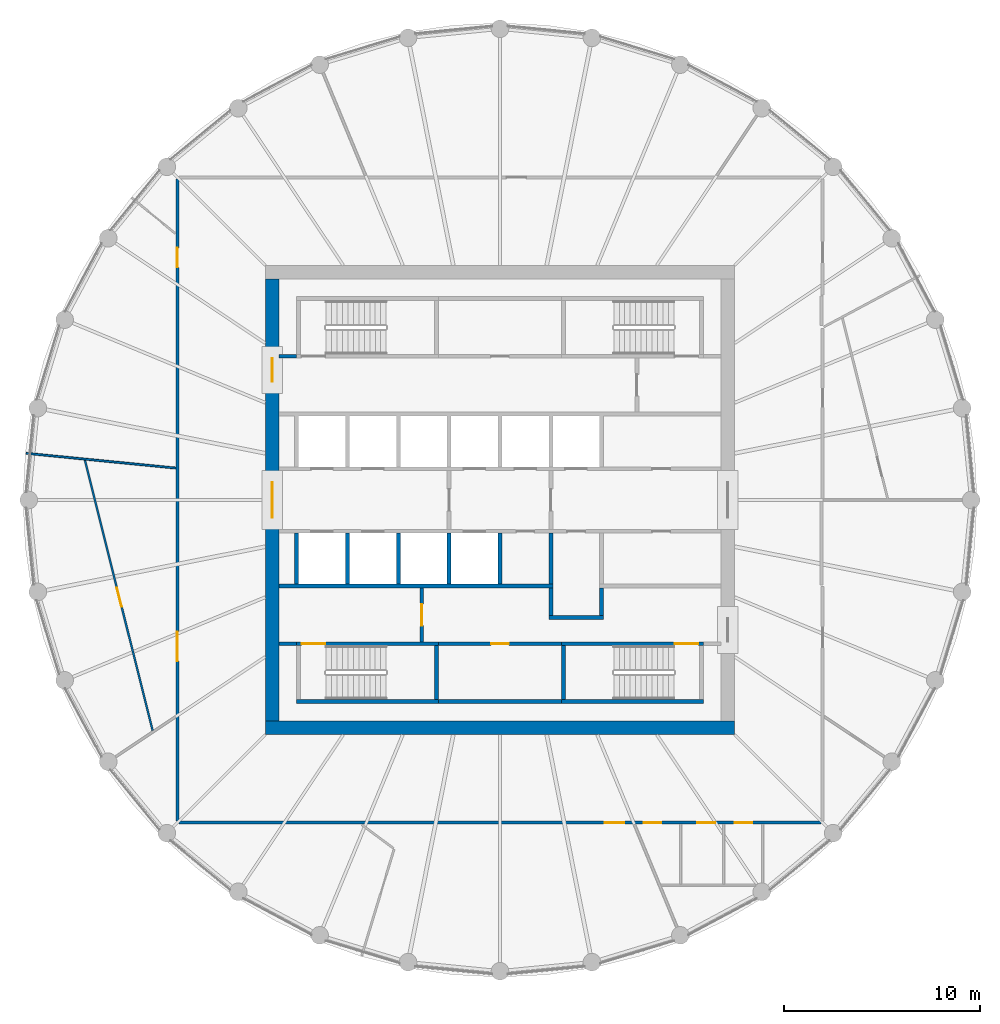
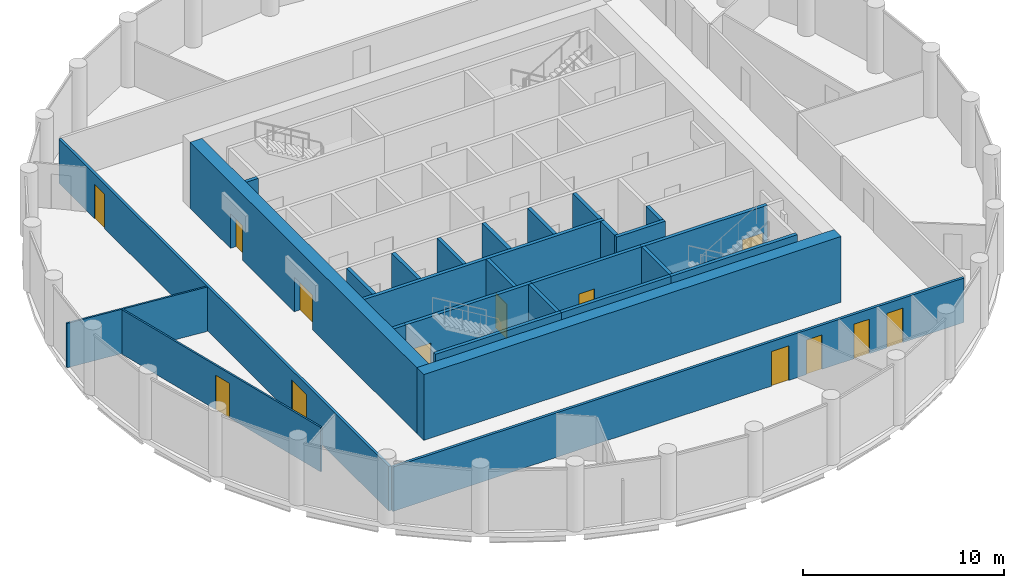
# One storey, part 4 of 7: 27 walls, 13 doors, 13 openings.
"""IFC4 building model written with IfcOpenShell, lengths in metres."""

from ifc_helpers import new_model, si_unit, direction, frame, frame_2d, origin, place, context, subcontext, project, spatial, polyline, rectangle, outline, extrude, material, layer, layer_set, type_object, element, fill, save


model = new_model("IFC4")

# Units and contexts
model_context = context("Model", 3, precision=1e-05, world=origin(), true_north=direction((0.0, 1.0)))
body_context = subcontext(model_context, "Body", "Model", "MODEL_VIEW")
ifc_project = project(units=[si_unit("LENGTHUNIT", "METRE"), si_unit("AREAUNIT", "SQUARE_METRE"), si_unit("VOLUMEUNIT", "CUBIC_METRE"), si_unit("PLANEANGLEUNIT", "RADIAN"), si_unit("MASSUNIT", "GRAM", prefix="KILO")], contexts=[model_context])

# Site, building, storey
site_placement = place(None, origin())
site = spatial("IfcSite", under=ifc_project, at=site_placement, CompositionType="ELEMENT")
building_placement = place(site_placement, origin())
building = spatial("IfcBuilding", under=site, at=building_placement, Name="Corvane Civic Tower", CompositionType="ELEMENT")
storey_placement = place(building_placement, frame((0.0, 0.0, 267.0)))
storey = spatial("IfcBuildingStorey", under=building, at=storey_placement, Name="L63", CompositionType="ELEMENT", Elevation=267.0)

# Wall
ifc_material_1 = material(Name="Concrete C40/50", Category="concrete")
ifc_layer_1 = layer(ifc_material_1, 0.699951171875)
ifc_layer_set_1 = layer_set([ifc_layer_1], Name="Concrete C40/50")
wall_type_1 = type_object("IfcWallType", Name="CORE WALL 700 C40/50", PredefinedType="SHEAR", material=ifc_layer_set_1)
wall_1_placement = place(storey_placement, frame((-12.0, -11.64990234375, 0.0), z_axis=(0.0, 0.0, 1.0), x_axis=(1.0, 0.0, 0.0)))
element("IfcWall", 1, at=wall_1_placement, inside=storey, type_object=wall_type_1, Name="W-L63-core-S", PredefinedType="SHEAR", context=body_context, shape_type="SweptSolid", body=[
    extrude(rectangle(XDim=24.0, YDim=0.699951171875, at=frame_2d((12.0, 0.0))), origin(), (0.0, 0.0, 1.0), 4.0),
])

# Wall, openings, doors
wall_2_placement = place(storey_placement, frame((-11.64990234375, -11.300048828125, 0.0), z_axis=(0.0, 0.0, 1.0), x_axis=(0.0, 1.0, 0.0)))
wall_2 = element("IfcWall", 2, at=wall_2_placement, inside=storey, type_object=wall_type_1, Name="W-L63-core-W", PredefinedType="SHEAR", context=body_context, shape_type="SweptSolid", body=[
    extrude(rectangle(XDim=22.60009765625, YDim=0.699951171875, at=frame_2d((11.300048828125, 0.0))), origin(), (0.0, 0.0, 1.0), 4.0),
])
opening_1_placement = place(wall_2_placement, frame((10.39990234375, 0.0, 0.0)))
opening_1 = element("IfcOpeningElement", 3, at=opening_1_placement, cuts=wall_2, Name="Opening L63.C15", PredefinedType="OPENING", context=body_context, shape_type="SweptSolid", body=[
    extrude(rectangle(XDim=1.800048828125, YDim=2.10009765625, at=frame_2d((0.89990234375, 1.050048828125))), frame((0.0, 0.35986328125, 0.0), z_axis=(0.0, -1.0, 0.0), x_axis=(1.0, 0.0, 0.0)), (0.0, 0.0, 1.0), 0.719970703125),
])
opening_2_placement = place(wall_2_placement, frame((17.35009765625, 0.0, 0.0)))
opening_2 = element("IfcOpeningElement", 4, at=opening_2_placement, cuts=wall_2, Name="Opening L63.C17", PredefinedType="OPENING", context=body_context, shape_type="SweptSolid", body=[
    extrude(rectangle(XDim=1.199951171875, YDim=2.10009765625, at=frame_2d((0.60009765625, 1.050048828125))), frame((0.0, 0.35986328125, 0.0), z_axis=(0.0, -1.0, 0.0), x_axis=(1.0, 0.0, 0.0)), (0.0, 0.0, 1.0), 0.719970703125),
])
ifc_material_2 = material(Name="Steel fire door leaf", Category="steel")
door_type_1 = type_object("IfcDoorType", Name="CR-DOOR-CORE-1800", OperationType="DOUBLE_DOOR_SINGLE_SWING", PredefinedType="DOOR", material=ifc_material_2)
door_1_placement = place(opening_1_placement, origin())
door_1 = element("IfcDoor", 5, at=door_1_placement, inside=storey, type_object=door_type_1, Name="L63 door", OperationType="DOUBLE_DOOR_SINGLE_SWING", OverallHeight=2.10009765625, OverallWidth=1.800048828125, PredefinedType="DOOR", context=body_context, shape_type="SweptSolid", body=[
    extrude(rectangle(XDim=1.800048828125, YDim=2.10009765625, at=frame_2d((0.89990234375, 1.050048828125))), frame((0.0, 0.02490234375, 0.0), z_axis=(0.0, -1.0, 0.0), x_axis=(1.0, 0.0, 0.0)), (0.0, 0.0, 1.0), 0.050048828125),
])
fill(opening_1, door_1)
door_2_placement = place(opening_2_placement, origin())
door_2 = element("IfcDoor", 6, at=door_2_placement, inside=storey, type_object=door_type_1, Name="L63 door", OperationType="DOUBLE_DOOR_SINGLE_SWING", OverallHeight=2.10009765625, OverallWidth=1.199951171875, PredefinedType="DOOR", context=body_context, shape_type="SweptSolid", body=[
    extrude(rectangle(XDim=1.199951171875, YDim=2.10009765625, at=frame_2d((0.60009765625, 1.050048828125))), frame((0.0, 0.02490234375, 0.0), z_axis=(0.0, -1.0, 0.0), x_axis=(1.0, 0.0, 0.0)), (0.0, 0.0, 1.0), 0.050048828125),
])
fill(opening_2, door_2)

# Wall, opening, door
ifc_material_3 = material(Name="Concrete C30/37", Category="concrete")
ifc_layer_2 = layer(ifc_material_3, 0.199951171875)
ifc_layer_set_2 = layer_set([ifc_layer_2], Name="Concrete C30/37")
wall_type_2 = type_object("IfcWallType", Name="CR-WALL-200", PredefinedType="PARTITIONING", material=ifc_layer_set_2)
wall_3_placement = place(storey_placement, frame((-3.14990234375, -7.35009765625, 0.0), z_axis=(0.0, 0.0, 1.0), x_axis=(1.0, 0.0, 0.0)))
wall_3 = element("IfcWall", 7, at=wall_3_placement, inside=storey, type_object=wall_type_2, Name="L63 core partition wall", PredefinedType="PARTITIONING", context=body_context, shape_type="SweptSolid", body=[
    extrude(rectangle(XDim=6.2998046875, YDim=0.199951171875, at=frame_2d((3.14990234375, 0.0))), origin(), (0.0, 0.0, 1.0), 3.699951171875),
])
opening_3_placement = place(wall_3_placement, frame((2.699951171875, 0.0, 0.0)))
opening_3 = element("IfcOpeningElement", 8, at=opening_3_placement, cuts=wall_3, Name="Opening L63.C06", PredefinedType="OPENING", context=body_context, shape_type="SweptSolid", body=[
    extrude(rectangle(XDim=0.89990234375, YDim=2.10009765625, at=frame_2d((0.449951171875, 1.050048828125))), frame((0.0, 0.10986328125, 0.0), z_axis=(0.0, -1.0, 0.0), x_axis=(1.0, 0.0, 0.0)), (0.0, 0.0, 1.0), 0.219970703125),
])
ifc_material_4 = material(Name="Steel fire door leaf", Category="steel")
door_type_2 = type_object("IfcDoorType", Name="CR-DOOR-900", OperationType="SINGLE_SWING_LEFT", PredefinedType="DOOR", material=ifc_material_4)
door_3_placement = place(opening_3_placement, origin())
door_3 = element("IfcDoor", 9, at=door_3_placement, inside=storey, type_object=door_type_2, Name="L63 door", OperationType="SINGLE_SWING_LEFT", OverallHeight=2.10009765625, OverallWidth=0.89990234375, PredefinedType="DOOR", context=body_context, shape_type="SweptSolid", body=[
    extrude(rectangle(XDim=0.89990234375, YDim=2.10009765625, at=frame_2d((0.449951171875, 1.050048828125))), frame((0.0, 0.02490234375, 0.0), z_axis=(0.0, -1.0, 0.0), x_axis=(1.0, 0.0, 0.0)), (0.0, 0.0, 1.0), 0.050048828125),
])
fill(opening_3, door_3)

wall_4_placement = place(storey_placement, frame((-4.0, -7.25, 0.0), z_axis=(0.0, 0.0, 1.0), x_axis=(0.0, 1.0, 0.0)))
wall_4 = element("IfcWall", 10, at=wall_4_placement, inside=storey, type_object=wall_type_2, Name="L63 core partition wall", PredefinedType="PARTITIONING", context=body_context, shape_type="SweptSolid", body=[
    extrude(rectangle(XDim=2.75, YDim=0.199951171875, at=frame_2d((1.375, 0.0))), origin(), (0.0, 0.0, 1.0), 3.699951171875),
])
opening_4_placement = place(wall_4_placement, frame((0.824951171875, 0.0, 0.0)))
opening_4 = element("IfcOpeningElement", 11, at=opening_4_placement, cuts=wall_4, Name="Opening L63.C14", PredefinedType="OPENING", context=body_context, shape_type="SweptSolid", body=[
    extrude(rectangle(XDim=1.10009765625, YDim=2.10009765625, at=frame_2d((0.550048828125, 1.050048828125))), frame((0.0, 0.10986328125, 0.0), z_axis=(0.0, -1.0, 0.0), x_axis=(1.0, 0.0, 0.0)), (0.0, 0.0, 1.0), 0.219970703125),
])
ifc_material_5 = material(Name="Steel fire door leaf", Category="steel")
door_type_3 = type_object("IfcDoorType", Name="CR-DOOR-FFL-1100", OperationType="SINGLE_SWING_LEFT", PredefinedType="DOOR", material=ifc_material_5)
door_4_placement = place(opening_4_placement, origin())
door_4 = element("IfcDoor", 12, at=door_4_placement, inside=storey, type_object=door_type_3, Name="L63 lobby door", OperationType="SINGLE_SWING_LEFT", OverallHeight=2.10009765625, OverallWidth=1.10009765625, PredefinedType="DOOR", context=body_context, shape_type="SweptSolid", body=[
    extrude(rectangle(XDim=1.10009765625, YDim=2.10009765625, at=frame_2d((0.550048828125, 1.050048828125))), frame((0.0, 0.02490234375, 0.0), z_axis=(0.0, -1.0, 0.0), x_axis=(1.0, 0.0, 0.0)), (0.0, 0.0, 1.0), 0.050048828125),
])
fill(opening_4, door_4)

# Walls
wall_5_placement = place(storey_placement, origin())
element("IfcWall", 13, at=wall_5_placement, inside=storey, type_object=wall_type_2, Name="L63 core partition wall", PredefinedType="PARTITIONING", context=body_context, shape_type="SweptSolid", body=[
    extrude(outline(polyline([(2.699951171875, -4.300048828125), (2.699951171875, -4.5), (-11.300048828125, -4.5), (-11.300048828125, -4.300048828125), (2.699951171875, -4.300048828125)])), origin(), (0.0, 0.0, 1.0), 3.699951171875),
])
wall_6_placement = place(storey_placement, origin())
element("IfcWall", 14, at=wall_6_placement, inside=storey, type_object=wall_type_2, Name="L63 core partition wall", PredefinedType="PARTITIONING", context=body_context, shape_type="SweptSolid", body=[
    extrude(outline(polyline([(5.300048828125, -6.10009765625), (2.5, -6.10009765625), (2.5, -5.89990234375), (5.300048828125, -5.89990234375), (5.300048828125, -6.10009765625)])), origin(), (0.0, 0.0, 1.0), 3.699951171875),
])
wall_7_placement = place(storey_placement, origin())
element("IfcWall", 15, at=wall_7_placement, inside=storey, type_object=wall_type_2, Name="L63 core partition wall", PredefinedType="PARTITIONING", context=body_context, shape_type="SweptSolid", body=[
    extrude(outline(polyline([(-2.5, -1.699951171875), (-2.5, -4.2998046875), (-2.699951171875, -4.2998046875), (-2.699951171875, -1.699951171875), (-2.5, -1.699951171875)])), origin(), (0.0, 0.0, 1.0), 3.699951171875),
])
wall_8_placement = place(storey_placement, origin())
element("IfcWall", 16, at=wall_8_placement, inside=storey, type_object=wall_type_2, Name="L63 core partition wall", PredefinedType="PARTITIONING", context=body_context, shape_type="SweptSolid", body=[
    extrude(outline(polyline([(2.699951171875, -1.699951171875), (2.699951171875, -4.2998046875), (2.5, -4.2998046875), (2.5, -1.699951171875), (2.699951171875, -1.699951171875)])), origin(), (0.0, 0.0, 1.0), 3.699951171875),
])
wall_9_placement = place(storey_placement, origin())
element("IfcWall", 17, at=wall_9_placement, inside=storey, type_object=wall_type_2, Name="L63 core partition wall", PredefinedType="PARTITIONING", context=body_context, shape_type="SweptSolid", body=[
    extrude(outline(polyline([(0.10009765625, -1.699951171875), (0.10009765625, -4.2998046875), (-0.10009765625, -4.2998046875), (-0.10009765625, -1.699951171875), (0.10009765625, -1.699951171875)])), origin(), (0.0, 0.0, 1.0), 3.699951171875),
])
wall_10_placement = place(storey_placement, origin())
element("IfcWall", 18, at=wall_10_placement, inside=storey, type_object=wall_type_2, Name="L63 core partition wall", PredefinedType="PARTITIONING", context=body_context, shape_type="SweptSolid", body=[
    extrude(outline(polyline([(-10.300048828125, -1.699951171875), (-10.300048828125, -4.2998046875), (-10.5, -4.2998046875), (-10.5, -1.699951171875), (-10.300048828125, -1.699951171875)])), origin(), (0.0, 0.0, 1.0), 3.699951171875),
])
wall_11_placement = place(storey_placement, origin())
element("IfcWall", 19, at=wall_11_placement, inside=storey, type_object=wall_type_2, Name="L63 core partition wall", PredefinedType="PARTITIONING", context=body_context, shape_type="SweptSolid", body=[
    extrude(outline(polyline([(-7.699951171875, -1.699951171875), (-7.699951171875, -4.2998046875), (-7.89990234375, -4.2998046875), (-7.89990234375, -1.699951171875), (-7.699951171875, -1.699951171875)])), origin(), (0.0, 0.0, 1.0), 3.699951171875),
])
wall_12_placement = place(storey_placement, origin())
element("IfcWall", 20, at=wall_12_placement, inside=storey, type_object=wall_type_2, Name="L63 core partition wall", PredefinedType="PARTITIONING", context=body_context, shape_type="SweptSolid", body=[
    extrude(outline(polyline([(-5.10009765625, -1.699951171875), (-5.10009765625, -4.2998046875), (-5.300048828125, -4.2998046875), (-5.300048828125, -1.699951171875), (-5.10009765625, -1.699951171875)])), origin(), (0.0, 0.0, 1.0), 3.699951171875),
])
wall_13_placement = place(storey_placement, origin())
element("IfcWall", 21, at=wall_13_placement, inside=storey, type_object=wall_type_2, Name="L63 core partition wall", PredefinedType="PARTITIONING", context=body_context, shape_type="SweptSolid", body=[
    extrude(outline(polyline([(2.699951171875, -5.89990234375), (2.5, -5.89990234375), (2.5, -4.5), (2.699951171875, -4.5), (2.699951171875, -5.89990234375)])), origin(), (0.0, 0.0, 1.0), 3.699951171875),
])
wall_14_placement = place(storey_placement, origin())
element("IfcWall", 22, at=wall_14_placement, inside=storey, type_object=wall_type_2, Name="L63 core partition wall", PredefinedType="PARTITIONING", context=body_context, shape_type="SweptSolid", body=[
    extrude(outline(polyline([(5.300048828125, -5.89990234375), (5.10009765625, -5.89990234375), (5.10009765625, -4.5), (5.300048828125, -4.5), (5.300048828125, -5.89990234375)])), origin(), (0.0, 0.0, 1.0), 3.699951171875),
])
wall_15_placement = place(storey_placement, origin())
element("IfcWall", 23, at=wall_15_placement, inside=storey, type_object=wall_type_2, Name="L63 core partition wall", PredefinedType="PARTITIONING", context=body_context, shape_type="SweptSolid", body=[
    extrude(outline(polyline([(-10.39990234375, -7.449951171875), (-11.300048828125, -7.449951171875), (-11.300048828125, -7.25), (-10.39990234375, -7.25), (-10.39990234375, -7.449951171875)])), origin(), (0.0, 0.0, 1.0), 3.699951171875),
])
wall_16_placement = place(storey_placement, origin())
element("IfcWall", 24, at=wall_16_placement, inside=storey, type_object=wall_type_2, Name="L63 core partition wall", PredefinedType="PARTITIONING", context=body_context, shape_type="SweptSolid", body=[
    extrude(outline(polyline([(-11.300048828125, 7.25), (-11.300048828125, 7.449951171875), (-10.39990234375, 7.449951171875), (-10.39990234375, 7.25), (-11.300048828125, 7.25)])), origin(), (0.0, 0.0, 1.0), 3.699951171875),
])
wall_17_placement = place(storey_placement, origin())
element("IfcWall", 25, at=wall_17_placement, inside=storey, type_object=wall_type_2, Name="L63 core partition wall", PredefinedType="PARTITIONING", context=body_context, shape_type="SweptSolid", body=[
    extrude(outline(polyline([(3.14990234375, -10.39990234375), (-3.14990234375, -10.39990234375), (-3.14990234375, -10.199951171875), (3.14990234375, -10.199951171875), (3.14990234375, -10.39990234375)])), origin(), (0.0, 0.0, 1.0), 3.699951171875),
])

# Wall, opening, door
ifc_material_6 = material(Name="Plasterboard")
ifc_layer_3 = layer(ifc_material_6, 0.10009765625)
ifc_layer_set_3 = layer_set([ifc_layer_3], Name="Plasterboard")
wall_type_3 = type_object("IfcWallType", Name="Partition 100 plasterboard on studs", PredefinedType="PARTITIONING", material=ifc_layer_set_3)
wall_18_placement = place(storey_placement, frame((-21.2265625, 2.0234375, 0.0), z_axis=(0.0, 0.0, 1.0), x_axis=(0.242975281305, -0.970032480216, 0.0)))
wall_18 = element("IfcWall", 26, at=wall_18_placement, inside=storey, type_object=wall_type_3, Name="Partition L63.013", PredefinedType="PARTITIONING", context=body_context, shape_type="SweptSolid", body=[
    extrude(rectangle(XDim=14.240966796875, YDim=0.10009765625, at=frame_2d((7.12060546875, 0.0))), origin(), (0.0, 0.0, 1.0), 2.699951171875),
])
opening_5_placement = place(wall_18_placement, frame((6.7099609375, 0.0, 0.0)))
opening_5 = element("IfcOpeningElement", 27, at=opening_5_placement, cuts=wall_18, Name="Opening L63.001", PredefinedType="OPENING", context=body_context, shape_type="SweptSolid", body=[
    extrude(rectangle(XDim=1.0, YDim=2.10009765625, at=frame_2d((0.5, 1.050048828125))), frame((0.0, 0.06005859375, 0.0), z_axis=(0.0, -1.0, 0.0), x_axis=(1.0, 0.0, 0.0)), (0.0, 0.0, 1.0), 0.1201171875),
])
ifc_material_7 = material(Name="Timber", Category="wood")
door_type_4 = type_object("IfcDoorType", Name="Single door 1000", OperationType="NOTDEFINED", PredefinedType="DOOR", material=ifc_material_7)
door_5_placement = place(opening_5_placement, frame((1.0, 0.0, 0.0), z_axis=(0.0, 0.0, 1.0), x_axis=(-1.0, 0.0, 0.0)))
door_5 = element("IfcDoor", 28, at=door_5_placement, inside=storey, type_object=door_type_4, Name="Door L63.001", OperationType="SINGLE_SWING_LEFT", OverallHeight=2.10009765625, OverallWidth=1.0, PredefinedType="DOOR", context=body_context, shape_type="SweptSolid", body=[
    extrude(rectangle(XDim=1.0, YDim=2.10009765625, at=frame_2d((0.5, 1.050048828125))), frame((0.0, 0.02490234375, 0.0), z_axis=(0.0, -1.0, 0.0), x_axis=(1.0, 0.0, 0.0)), (0.0, 0.0, 1.0), 0.050048828125),
])
fill(opening_5, door_5)

# Wall
wall_19_placement = place(storey_placement, frame((-24.23291015625, 2.38671875, 0.0), z_axis=(0.0, 0.0, 1.0), x_axis=(0.995185996344, -0.098004248276, 0.0)))
element("IfcWall", 29, at=wall_19_placement, inside=storey, type_object=wall_type_3, Name="Partition L63.018", PredefinedType="PARTITIONING", context=body_context, shape_type="SweptSolid", body=[
    extrude(rectangle(XDim=7.690185546875, YDim=0.10009765625, at=frame_2d((3.84521484375, 0.0))), origin(), (0.0, 0.0, 1.0), 2.699951171875),
])

# Wall, opening, door
ifc_material_8 = material(Name="Concrete C50/60", Category="concrete")
ifc_layer_4 = layer(ifc_material_8, 0.199951171875)
ifc_layer_set_4 = layer_set([ifc_layer_4], Name="Concrete C50/60")
wall_type_4 = type_object("IfcWallType", Name="ST-WALL-200", PredefinedType="SHEAR", material=ifc_layer_set_4)
wall_20_placement = place(storey_placement, frame((-10.39990234375, -7.35009765625, 0.0), z_axis=(0.0, 0.0, 1.0), x_axis=(1.0, 0.0, 0.0)))
wall_20 = element("IfcWall", 30, at=wall_20_placement, inside=storey, type_object=wall_type_4, Name="L63 stair enclosure wall", PredefinedType="SHEAR", context=body_context, shape_type="SweptSolid", body=[
    extrude(rectangle(XDim=7.25, YDim=0.199951171875, at=frame_2d((3.625, 0.0))), origin(), (0.0, 0.0, 1.0), 3.699951171875),
])
opening_6_placement = place(wall_20_placement, frame((0.25, 0.0, 0.0)))
opening_6 = element("IfcOpeningElement", 31, at=opening_6_placement, cuts=wall_20, Name="Opening L63.C10", PredefinedType="OPENING", context=body_context, shape_type="SweptSolid", body=[
    extrude(rectangle(XDim=1.199951171875, YDim=2.10009765625, at=frame_2d((0.60009765625, 1.050048828125))), frame((0.0, 0.10986328125, 0.0), z_axis=(0.0, -1.0, 0.0), x_axis=(1.0, 0.0, 0.0)), (0.0, 0.0, 1.0), 0.219970703125),
])
ifc_material_9 = material(Name="Steel fire door leaf", Category="steel")
door_type_5 = type_object("IfcDoorType", Name="ST-DOOR-1200", OperationType="SINGLE_SWING_RIGHT", PredefinedType="DOOR", material=ifc_material_9)
door_6_placement = place(opening_6_placement, origin())
door_6 = element("IfcDoor", 32, at=door_6_placement, inside=storey, type_object=door_type_5, Name="L63 stair door", OperationType="SINGLE_SWING_RIGHT", OverallHeight=2.10009765625, OverallWidth=1.199951171875, PredefinedType="DOOR", context=body_context, shape_type="SweptSolid", body=[
    extrude(rectangle(XDim=1.199951171875, YDim=2.10009765625, at=frame_2d((0.60009765625, 1.050048828125))), frame((0.0, 0.02490234375, 0.0), z_axis=(0.0, -1.0, 0.0), x_axis=(1.0, 0.0, 0.0)), (0.0, 0.0, 1.0), 0.050048828125),
])
fill(opening_6, door_6)

wall_21_placement = place(storey_placement, frame((3.14990234375, -7.35009765625, 0.0), z_axis=(0.0, 0.0, 1.0), x_axis=(1.0, 0.0, 0.0)))
wall_21 = element("IfcWall", 33, at=wall_21_placement, inside=storey, type_object=wall_type_4, Name="L63 stair enclosure wall", PredefinedType="SHEAR", context=body_context, shape_type="SweptSolid", body=[
    extrude(rectangle(XDim=7.25, YDim=0.199951171875, at=frame_2d((3.625, 0.0))), origin(), (0.0, 0.0, 1.0), 3.699951171875),
])
opening_7_placement = place(wall_21_placement, frame((5.800048828125, 0.0, 0.0)))
opening_7 = element("IfcOpeningElement", 34, at=opening_7_placement, cuts=wall_21, Name="Opening L63.C09", PredefinedType="OPENING", context=body_context, shape_type="SweptSolid", body=[
    extrude(rectangle(XDim=1.199951171875, YDim=2.10009765625, at=frame_2d((0.60009765625, 1.050048828125))), frame((0.0, 0.10986328125, 0.0), z_axis=(0.0, -1.0, 0.0), x_axis=(1.0, 0.0, 0.0)), (0.0, 0.0, 1.0), 0.219970703125),
])
door_7_placement = place(opening_7_placement, origin())
door_7 = element("IfcDoor", 35, at=door_7_placement, inside=storey, type_object=door_type_5, Name="L63 stair door", OperationType="SINGLE_SWING_RIGHT", OverallHeight=2.10009765625, OverallWidth=1.199951171875, PredefinedType="DOOR", context=body_context, shape_type="SweptSolid", body=[
    extrude(rectangle(XDim=1.199951171875, YDim=2.10009765625, at=frame_2d((0.60009765625, 1.050048828125))), frame((0.0, 0.02490234375, 0.0), z_axis=(0.0, -1.0, 0.0), x_axis=(1.0, 0.0, 0.0)), (0.0, 0.0, 1.0), 0.050048828125),
])
fill(opening_7, door_7)

# Walls
wall_22_placement = place(storey_placement, origin())
element("IfcWall", 36, at=wall_22_placement, inside=storey, type_object=wall_type_4, Name="L63 stair enclosure wall", PredefinedType="SHEAR", context=body_context, shape_type="SweptSolid", body=[
    extrude(outline(polyline([(-3.14990234375, -10.199951171875), (-3.14990234375, -10.39990234375), (-10.39990234375, -10.39990234375), (-10.39990234375, -10.199951171875), (-3.14990234375, -10.199951171875)])), origin(), (0.0, 0.0, 1.0), 3.699951171875),
])
wall_23_placement = place(storey_placement, origin())
element("IfcWall", 37, at=wall_23_placement, inside=storey, type_object=wall_type_4, Name="L63 stair enclosure wall", PredefinedType="SHEAR", context=body_context, shape_type="SweptSolid", body=[
    extrude(outline(polyline([(10.39990234375, -10.39990234375), (3.14990234375, -10.39990234375), (3.14990234375, -10.199951171875), (10.39990234375, -10.199951171875), (10.39990234375, -10.39990234375)])), origin(), (0.0, 0.0, 1.0), 3.699951171875),
])
wall_24_placement = place(storey_placement, origin())
element("IfcWall", 38, at=wall_24_placement, inside=storey, type_object=wall_type_4, Name="L63 stair enclosure wall", PredefinedType="SHEAR", context=body_context, shape_type="SweptSolid", body=[
    extrude(outline(polyline([(-3.14990234375, -7.449951171875), (-3.14990234375, -10.199951171875), (-3.35009765625, -10.199951171875), (-3.35009765625, -7.449951171875), (-3.14990234375, -7.449951171875)])), origin(), (0.0, 0.0, 1.0), 3.699951171875),
])
wall_25_placement = place(storey_placement, origin())
element("IfcWall", 39, at=wall_25_placement, inside=storey, type_object=wall_type_4, Name="L63 stair enclosure wall", PredefinedType="SHEAR", context=body_context, shape_type="SweptSolid", body=[
    extrude(outline(polyline([(3.35009765625, -7.449951171875), (3.35009765625, -10.199951171875), (3.14990234375, -10.199951171875), (3.14990234375, -7.449951171875), (3.35009765625, -7.449951171875)])), origin(), (0.0, 0.0, 1.0), 3.699951171875),
])

# Wall, openings, doors
ifc_material_10 = material(Name="Plasterboard")
ifc_layer_5 = layer(ifc_material_10, 0.14990234375)
ifc_layer_set_5 = layer_set([ifc_layer_5], Name="Plasterboard")
wall_type_5 = type_object("IfcWallType", Name="Tenancy wall 150 EI 60", PredefinedType="PARTITIONING", material=ifc_layer_set_5)
wall_26_placement = place(storey_placement, frame((-16.425048828125, -16.5, 0.0), z_axis=(0.0, 0.0, 1.0), x_axis=(1.0, 0.0, 0.0)))
wall_26 = element("IfcWall", 40, at=wall_26_placement, inside=storey, type_object=wall_type_5, Name="Partition L63.008", PredefinedType="PARTITIONING", context=body_context, shape_type="SweptSolid", body=[
    extrude(rectangle(XDim=32.85009765625, YDim=0.14990234375, at=frame_2d((16.425048828125, 0.0))), origin(), (0.0, 0.0, 1.0), 2.699951171875),
])
opening_8_placement = place(wall_26_placement, frame((26.5234375, 0.0, 0.0)))
opening_8 = element("IfcOpeningElement", 41, at=opening_8_placement, cuts=wall_26, Name="Opening L63.011", PredefinedType="OPENING", context=body_context, shape_type="SweptSolid", body=[
    extrude(rectangle(XDim=0.89990234375, YDim=2.10009765625, at=frame_2d((0.449951171875, 1.050048828125))), frame((0.0, 0.0849609375, 0.0), z_axis=(0.0, -1.0, 0.0), x_axis=(1.0, 0.0, 0.0)), (0.0, 0.0, 1.0), 0.169921875),
])
opening_9_placement = place(wall_26_placement, frame((28.423095703125, 0.0, 0.0)))
opening_9 = element("IfcOpeningElement", 42, at=opening_9_placement, cuts=wall_26, Name="Opening L63.012", PredefinedType="OPENING", context=body_context, shape_type="SweptSolid", body=[
    extrude(rectangle(XDim=0.89990234375, YDim=2.10009765625, at=frame_2d((0.449951171875, 1.050048828125))), frame((0.0, 0.0849609375, 0.0), z_axis=(0.0, -1.0, 0.0), x_axis=(1.0, 0.0, 0.0)), (0.0, 0.0, 1.0), 0.169921875),
])
opening_10_placement = place(wall_26_placement, frame((23.7841796875, 0.0, 0.0)))
opening_10 = element("IfcOpeningElement", 43, at=opening_10_placement, cuts=wall_26, Name="Opening L63.013", PredefinedType="OPENING", context=body_context, shape_type="SweptSolid", body=[
    extrude(rectangle(XDim=0.89990234375, YDim=2.10009765625, at=frame_2d((0.449951171875, 1.050048828125))), frame((0.0, 0.0849609375, 0.0), z_axis=(0.0, -1.0, 0.0), x_axis=(1.0, 0.0, 0.0)), (0.0, 0.0, 1.0), 0.169921875),
])
opening_11_placement = place(wall_26_placement, frame((21.770751953125, 0.0, 0.0)))
opening_11 = element("IfcOpeningElement", 44, at=opening_11_placement, cuts=wall_26, Name="Opening L63.014", PredefinedType="OPENING", context=body_context, shape_type="SweptSolid", body=[
    extrude(rectangle(XDim=1.0, YDim=2.10009765625, at=frame_2d((0.5, 1.050048828125))), frame((0.0, 0.0849609375, 0.0), z_axis=(0.0, -1.0, 0.0), x_axis=(1.0, 0.0, 0.0)), (0.0, 0.0, 1.0), 0.169921875),
])
ifc_material_11 = material(Name="Steel and timber", Category="steel")
door_type_6 = type_object("IfcDoorType", Name="Fire door FD30S 1000", OperationType="NOTDEFINED", PredefinedType="DOOR", material=ifc_material_11)
door_8_placement = place(opening_11_placement, frame((1.0, 0.0, 0.0), z_axis=(0.0, 0.0, 1.0), x_axis=(-1.0, 0.0, 0.0)))
door_8 = element("IfcDoor", 45, at=door_8_placement, inside=storey, type_object=door_type_6, Name="Door L63.014", OperationType="SINGLE_SWING_LEFT", OverallHeight=2.10009765625, OverallWidth=1.0, PredefinedType="DOOR", context=body_context, shape_type="SweptSolid", body=[
    extrude(rectangle(XDim=1.0, YDim=2.10009765625, at=frame_2d((0.5, 1.050048828125))), frame((0.0, 0.02490234375, 0.0), z_axis=(0.0, -1.0, 0.0), x_axis=(1.0, 0.0, 0.0)), (0.0, 0.0, 1.0), 0.050048828125),
])
fill(opening_11, door_8)
ifc_material_12 = material(Name="Steel and timber", Category="steel")
door_type_7 = type_object("IfcDoorType", Name="Fire door FD30S 900", OperationType="NOTDEFINED", PredefinedType="DOOR", material=ifc_material_12)
door_9_placement = place(opening_8_placement, frame((0.89990234375, 0.0, 0.0), z_axis=(0.0, 0.0, 1.0), x_axis=(-1.0, 0.0, 0.0)))
door_9 = element("IfcDoor", 46, at=door_9_placement, inside=storey, type_object=door_type_7, Name="Door L63.011", OperationType="SINGLE_SWING_LEFT", OverallHeight=2.10009765625, OverallWidth=0.89990234375, PredefinedType="DOOR", context=body_context, shape_type="SweptSolid", body=[
    extrude(rectangle(XDim=0.89990234375, YDim=2.10009765625, at=frame_2d((0.449951171875, 1.050048828125))), frame((0.0, 0.02490234375, 0.0), z_axis=(0.0, -1.0, 0.0), x_axis=(1.0, 0.0, 0.0)), (0.0, 0.0, 1.0), 0.050048828125),
])
fill(opening_8, door_9)
door_10_placement = place(opening_9_placement, frame((0.89990234375, 0.0, 0.0), z_axis=(0.0, 0.0, 1.0), x_axis=(-1.0, 0.0, 0.0)))
door_10 = element("IfcDoor", 47, at=door_10_placement, inside=storey, type_object=door_type_7, Name="Door L63.012", OperationType="SINGLE_SWING_RIGHT", OverallHeight=2.10009765625, OverallWidth=0.89990234375, PredefinedType="DOOR", context=body_context, shape_type="SweptSolid", body=[
    extrude(rectangle(XDim=0.89990234375, YDim=2.10009765625, at=frame_2d((0.449951171875, 1.050048828125))), frame((0.0, 0.02490234375, 0.0), z_axis=(0.0, -1.0, 0.0), x_axis=(1.0, 0.0, 0.0)), (0.0, 0.0, 1.0), 0.050048828125),
])
fill(opening_9, door_10)
door_11_placement = place(opening_10_placement, frame((0.89990234375, 0.0, 0.0), z_axis=(0.0, 0.0, 1.0), x_axis=(-1.0, 0.0, 0.0)))
door_11 = element("IfcDoor", 48, at=door_11_placement, inside=storey, type_object=door_type_7, Name="Door L63.013", OperationType="SINGLE_SWING_LEFT", OverallHeight=2.10009765625, OverallWidth=0.89990234375, PredefinedType="DOOR", context=body_context, shape_type="SweptSolid", body=[
    extrude(rectangle(XDim=0.89990234375, YDim=2.10009765625, at=frame_2d((0.449951171875, 1.050048828125))), frame((0.0, 0.02490234375, 0.0), z_axis=(0.0, -1.0, 0.0), x_axis=(1.0, 0.0, 0.0)), (0.0, 0.0, 1.0), 0.050048828125),
])
fill(opening_10, door_11)

wall_27_placement = place(storey_placement, frame((-16.5, -16.425048828125, 0.0), z_axis=(0.0, 0.0, 1.0), x_axis=(0.0, 1.0, 0.0)))
wall_27 = element("IfcWall", 49, at=wall_27_placement, inside=storey, type_object=wall_type_5, Name="Partition L63.009", PredefinedType="PARTITIONING", context=body_context, shape_type="SweptSolid", body=[
    extrude(rectangle(XDim=32.85009765625, YDim=0.14990234375, at=frame_2d((16.425048828125, 0.0))), origin(), (0.0, 0.0, 1.0), 2.699951171875),
])
opening_12_placement = place(wall_27_placement, frame((8.18310546875, 0.0, 0.0)))
opening_12 = element("IfcOpeningElement", 50, at=opening_12_placement, cuts=wall_27, Name="Opening L63.002", PredefinedType="OPENING", context=body_context, shape_type="SweptSolid", body=[
    extrude(rectangle(XDim=1.5, YDim=2.10009765625, at=frame_2d((0.75, 1.050048828125))), frame((0.0, 0.0849609375, 0.0), z_axis=(0.0, -1.0, 0.0), x_axis=(1.0, 0.0, 0.0)), (0.0, 0.0, 1.0), 0.169921875),
])
opening_13_placement = place(wall_27_placement, frame((28.3173828125, 0.0, 0.0)))
opening_13 = element("IfcOpeningElement", 51, at=opening_13_placement, cuts=wall_27, Name="Opening L63.003", PredefinedType="OPENING", context=body_context, shape_type="SweptSolid", body=[
    extrude(rectangle(XDim=1.0, YDim=2.10009765625, at=frame_2d((0.5, 1.050048828125))), frame((0.0, 0.0849609375, 0.0), z_axis=(0.0, -1.0, 0.0), x_axis=(1.0, 0.0, 0.0)), (0.0, 0.0, 1.0), 0.169921875),
])
door_12_placement = place(opening_13_placement, origin())
door_12 = element("IfcDoor", 52, at=door_12_placement, inside=storey, type_object=door_type_6, Name="Door L63.003", OperationType="SINGLE_SWING_RIGHT", OverallHeight=2.10009765625, OverallWidth=1.0, PredefinedType="DOOR", context=body_context, shape_type="SweptSolid", body=[
    extrude(rectangle(XDim=1.0, YDim=2.10009765625, at=frame_2d((0.5, 1.050048828125))), frame((0.0, 0.02490234375, 0.0), z_axis=(0.0, -1.0, 0.0), x_axis=(1.0, 0.0, 0.0)), (0.0, 0.0, 1.0), 0.050048828125),
])
fill(opening_13, door_12)
ifc_material_13 = material(Name="Steel and timber", Category="steel")
door_type_8 = type_object("IfcDoorType", Name="Fire door FD60 double 1500", OperationType="NOTDEFINED", PredefinedType="DOOR", material=ifc_material_13)
door_13_placement = place(opening_12_placement, origin())
door_13 = element("IfcDoor", 53, at=door_13_placement, inside=storey, type_object=door_type_8, Name="Door L63.002", OperationType="DOUBLE_DOOR_SINGLE_SWING", OverallHeight=2.10009765625, OverallWidth=1.5, PredefinedType="DOOR", context=body_context, shape_type="SweptSolid", body=[
    extrude(rectangle(XDim=1.5, YDim=2.10009765625, at=frame_2d((0.75, 1.050048828125))), frame((0.0, 0.02490234375, 0.0), z_axis=(0.0, -1.0, 0.0), x_axis=(1.0, 0.0, 0.0)), (0.0, 0.0, 1.0), 0.050048828125),
])
fill(opening_12, door_13)

save(model, "model.ifc")
